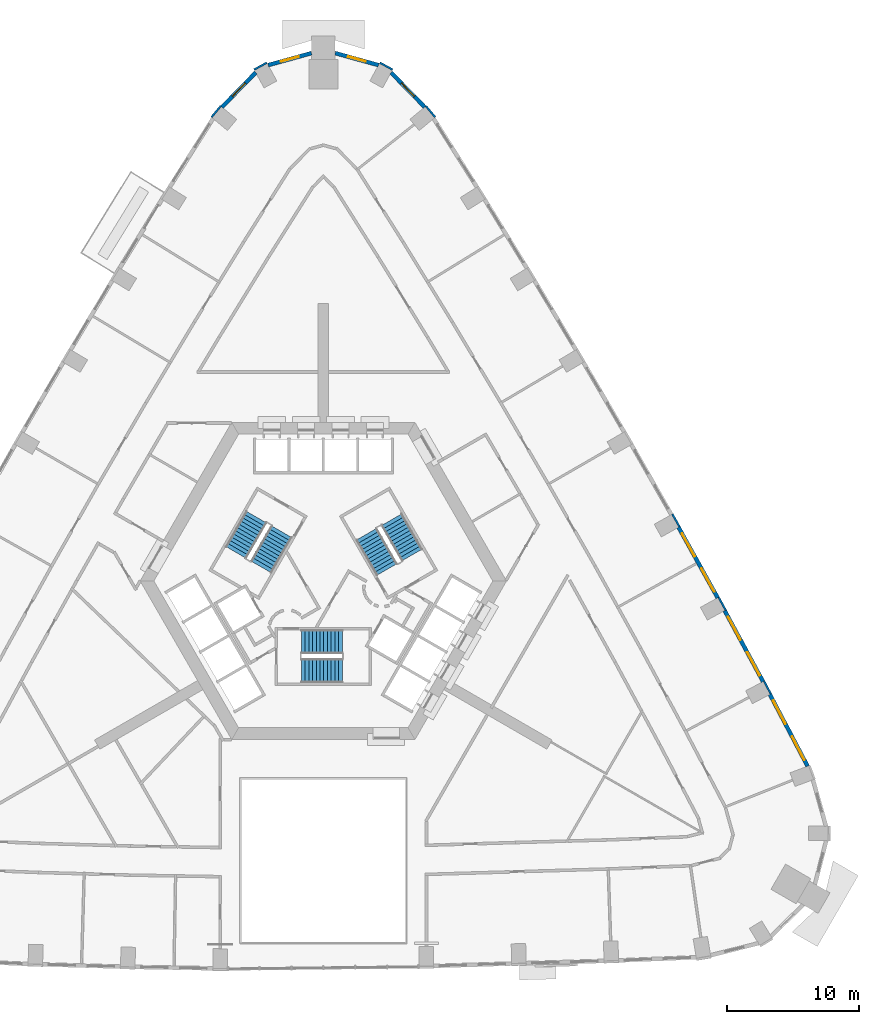
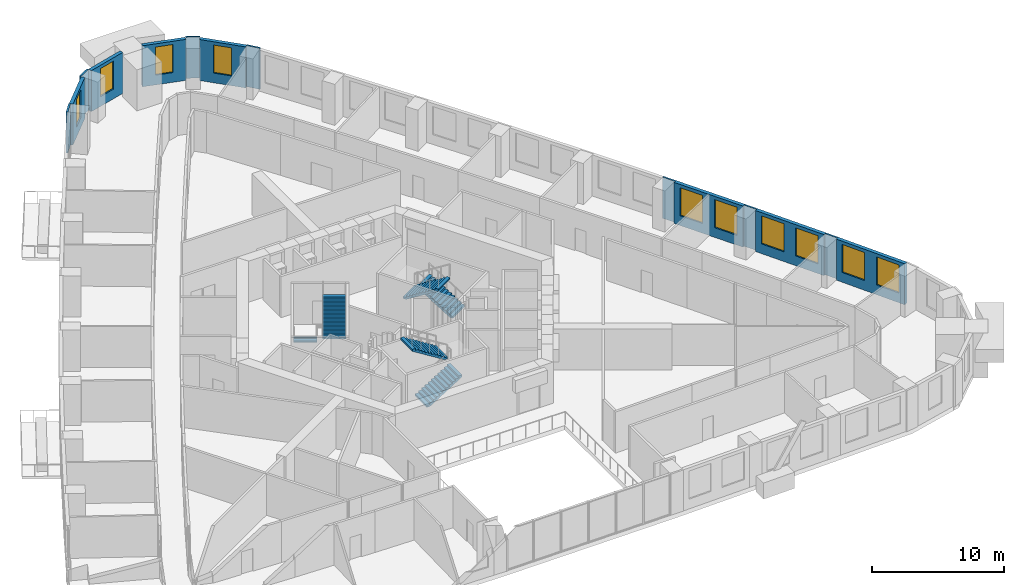
# One storey, part 12 of 15: 14 walls, 10 windows, 6 stair flights, 10 openings, 3 elements without a shape of their own.
"""IFC4 building model written with IfcOpenShell, lengths in metres."""

from ifc_helpers import new_model, si_unit, direction, frame, frame_2d, origin, place, context, subcontext, project, spatial, polyline, rectangle, outline, extrude, material, layer, layer_set, type_object, element, fill, aggregate, save


model = new_model("IFC4")

# Units and contexts
model_context = context("Model", 3, precision=1e-05, world=origin(), true_north=direction((0.0, 1.0)))
body_context = subcontext(model_context, "Body", "Model", "MODEL_VIEW")
ifc_project = project(units=[si_unit("LENGTHUNIT", "METRE"), si_unit("AREAUNIT", "SQUARE_METRE"), si_unit("VOLUMEUNIT", "CUBIC_METRE"), si_unit("PLANEANGLEUNIT", "RADIAN"), si_unit("MASSUNIT", "GRAM", prefix="KILO")], contexts=[model_context])

# Site, building, storey
site_placement = place(None, origin())
site = spatial("IfcSite", under=ifc_project, at=site_placement, CompositionType="ELEMENT")
building_placement = place(site_placement, origin())
building = spatial("IfcBuilding", under=site, at=building_placement, Name="Entoto Arch Interchange Tower", CompositionType="ELEMENT")
storey_placement = place(building_placement, frame((0.0, 0.0, 107.60009765625)))
storey = spatial("IfcBuildingStorey", under=building, at=storey_placement, Name="L23", CompositionType="ELEMENT", Elevation=107.60009765625)

# Wall, openings, windows
ifc_material_1 = material(Name="Welded tuff (ignimbrite) cladding, warm buff", Category="masonry")
ifc_layer_1 = layer(ifc_material_1, 0.300048828125)
ifc_layer_set_1 = layer_set([ifc_layer_1], Name="Welded tuff (ignimbrite) cladding, warm buff")
wall_type_1 = type_object("IfcWallType", Name="STONE INFILL WALL 300", PredefinedType="STANDARD", material=ifc_layer_set_1)
wall_1_placement = place(storey_placement, frame((36.633056640625, -11.510986328125, 0.0), z_axis=(0.0, 0.0, 1.0), x_axis=(-0.465380908665, 0.88511050714, 0.0)))
wall_1 = element("IfcWall", 1, at=wall_1_placement, inside=storey, type_object=wall_type_1, Name="Facade wall NE-01 L23", PredefinedType="STANDARD", context=body_context, shape_type="SweptSolid", body=[
    extrude(rectangle(XDim=6.139404296875, YDim=0.300048828125, at=frame_2d((3.06982421875, 0.0))), origin(), (0.0, 0.0, 1.0), 3.7998046875),
])
opening_1_placement = place(wall_1_placement, frame((0.534912109375, 0.0, 0.89990234375)))
opening_1 = element("IfcOpeningElement", 2, at=opening_1_placement, cuts=wall_1, Name="Opening WO-C", PredefinedType="OPENING", context=body_context, shape_type="SweptSolid", body=[
    extrude(rectangle(XDim=2.0, YDim=2.60009765625, at=frame_2d((1.0, 1.300048828125))), frame((0.0, 0.16015625, 0.0), z_axis=(0.0, -1.0, 0.0), x_axis=(1.0, 0.0, 0.0)), (0.0, 0.0, 1.0), 0.320068359375),
])
opening_2_placement = place(wall_1_placement, frame((3.60400390625, 0.0, 0.89990234375)))
opening_2 = element("IfcOpeningElement", 3, at=opening_2_placement, cuts=wall_1, Name="Opening WO-C", PredefinedType="OPENING", context=body_context, shape_type="SweptSolid", body=[
    extrude(rectangle(XDim=2.0, YDim=2.60009765625, at=frame_2d((1.0, 1.300048828125))), frame((0.0, 0.16015625, 0.0), z_axis=(0.0, -1.0, 0.0), x_axis=(1.0, 0.0, 0.0)), (0.0, 0.0, 1.0), 0.320068359375),
])
ifc_material_2 = material(Name="Clear glass, low-e double glazed", Category="glass")
window_type_1 = type_object("IfcWindowType", Name="WINDOW WO-C 2000x2600", PartitioningType="DOUBLE_PANEL_VERTICAL", PredefinedType="WINDOW", material=ifc_material_2)
window_1_placement = place(opening_1_placement, origin())
window_1 = element("IfcWindow", 4, at=window_1_placement, inside=storey, type_object=window_type_1, Name="Window WO-C NE-01 L23", OverallHeight=2.60009765625, OverallWidth=2.0, PartitioningType="SINGLE_PANEL", PredefinedType="WINDOW", context=body_context, shape_type="SweptSolid", body=[
    extrude(rectangle(XDim=2.0, YDim=2.60009765625, at=frame_2d((1.0, 1.300048828125))), frame((0.0, 0.030029296875, 0.0), z_axis=(0.0, -1.0, 0.0), x_axis=(1.0, 0.0, 0.0)), (0.0, 0.0, 1.0), 0.06005859375),
])
fill(opening_1, window_1)
window_2_placement = place(opening_2_placement, origin())
window_2 = element("IfcWindow", 5, at=window_2_placement, inside=storey, type_object=window_type_1, Name="Window WO-C NE-01 L23", OverallHeight=2.60009765625, OverallWidth=2.0, PartitioningType="SINGLE_PANEL", PredefinedType="WINDOW", context=body_context, shape_type="SweptSolid", body=[
    extrude(rectangle(XDim=2.0, YDim=2.60009765625, at=frame_2d((1.0, 1.300048828125))), frame((0.0, 0.030029296875, 0.0), z_axis=(0.0, -1.0, 0.0), x_axis=(1.0, 0.0, 0.0)), (0.0, 0.0, 1.0), 0.06005859375),
])
fill(opening_2, window_2)

wall_2_placement = place(storey_placement, frame((33.260009765625, -5.10791015625, 0.0), z_axis=(0.0, 0.0, 1.0), x_axis=(-0.475573079782, 0.879676216449, 0.0)))
wall_2 = element("IfcWall", 6, at=wall_2_placement, inside=storey, type_object=wall_type_1, Name="Facade wall NE-02 L23", PredefinedType="STANDARD", context=body_context, shape_type="SweptSolid", body=[
    extrude(rectangle(XDim=6.1044921875, YDim=0.300048828125, at=frame_2d((3.05224609375, 0.0))), origin(), (0.0, 0.0, 1.0), 3.7998046875),
])
opening_3_placement = place(wall_2_placement, frame((0.52587890625, 0.0, 0.89990234375)))
opening_3 = element("IfcOpeningElement", 7, at=opening_3_placement, cuts=wall_2, Name="Opening WO-C", PredefinedType="OPENING", context=body_context, shape_type="SweptSolid", body=[
    extrude(rectangle(XDim=2.0, YDim=2.60009765625, at=frame_2d((1.0, 1.300048828125))), frame((0.0, 0.16015625, 0.0), z_axis=(0.0, -1.0, 0.0), x_axis=(1.0, 0.0, 0.0)), (0.0, 0.0, 1.0), 0.320068359375),
])
opening_4_placement = place(wall_2_placement, frame((3.577880859375, 0.0, 0.89990234375)))
opening_4 = element("IfcOpeningElement", 8, at=opening_4_placement, cuts=wall_2, Name="Opening WO-C", PredefinedType="OPENING", context=body_context, shape_type="SweptSolid", body=[
    extrude(rectangle(XDim=2.0, YDim=2.60009765625, at=frame_2d((1.0, 1.300048828125))), frame((0.0, 0.16015625, 0.0), z_axis=(0.0, -1.0, 0.0), x_axis=(1.0, 0.0, 0.0)), (0.0, 0.0, 1.0), 0.320068359375),
])
window_3_placement = place(opening_3_placement, origin())
window_3 = element("IfcWindow", 9, at=window_3_placement, inside=storey, type_object=window_type_1, Name="Window WO-C NE-02 L23", OverallHeight=2.60009765625, OverallWidth=2.0, PartitioningType="SINGLE_PANEL", PredefinedType="WINDOW", context=body_context, shape_type="SweptSolid", body=[
    extrude(rectangle(XDim=2.0, YDim=2.60009765625, at=frame_2d((1.0, 1.300048828125))), frame((0.0, 0.030029296875, 0.0), z_axis=(0.0, -1.0, 0.0), x_axis=(1.0, 0.0, 0.0)), (0.0, 0.0, 1.0), 0.06005859375),
])
fill(opening_3, window_3)
window_4_placement = place(opening_4_placement, origin())
window_4 = element("IfcWindow", 10, at=window_4_placement, inside=storey, type_object=window_type_1, Name="Window WO-C NE-02 L23", OverallHeight=2.60009765625, OverallWidth=2.0, PartitioningType="SINGLE_PANEL", PredefinedType="WINDOW", context=body_context, shape_type="SweptSolid", body=[
    extrude(rectangle(XDim=2.0, YDim=2.60009765625, at=frame_2d((1.0, 1.300048828125))), frame((0.0, 0.030029296875, 0.0), z_axis=(0.0, -1.0, 0.0), x_axis=(1.0, 0.0, 0.0)), (0.0, 0.0, 1.0), 0.06005859375),
])
fill(opening_4, window_4)

wall_3_placement = place(storey_placement, frame((29.830078125, 1.22509765625, 0.0), z_axis=(0.0, 0.0, 1.0), x_axis=(-0.485170774404, 0.874419418623, 0.0)))
wall_3 = element("IfcWall", 11, at=wall_3_placement, inside=storey, type_object=wall_type_1, Name="Facade wall NE-03 L23", PredefinedType="STANDARD", context=body_context, shape_type="SweptSolid", body=[
    extrude(rectangle(XDim=6.103271484375, YDim=0.300048828125, at=frame_2d((3.0517578125, 0.0))), origin(), (0.0, 0.0, 1.0), 3.7998046875),
])
opening_5_placement = place(wall_3_placement, frame((0.52587890625, 0.0, 0.89990234375)))
opening_5 = element("IfcOpeningElement", 12, at=opening_5_placement, cuts=wall_3, Name="Opening WO-C", PredefinedType="OPENING", context=body_context, shape_type="SweptSolid", body=[
    extrude(rectangle(XDim=2.0, YDim=2.60009765625, at=frame_2d((1.0, 1.300048828125))), frame((0.0, 0.16015625, 0.0), z_axis=(0.0, -1.0, 0.0), x_axis=(1.0, 0.0, 0.0)), (0.0, 0.0, 1.0), 0.320068359375),
])
opening_6_placement = place(wall_3_placement, frame((3.577880859375, 0.0, 0.89990234375)))
opening_6 = element("IfcOpeningElement", 13, at=opening_6_placement, cuts=wall_3, Name="Opening WO-C", PredefinedType="OPENING", context=body_context, shape_type="SweptSolid", body=[
    extrude(rectangle(XDim=2.0, YDim=2.60009765625, at=frame_2d((1.0, 1.300048828125))), frame((0.0, 0.16015625, 0.0), z_axis=(0.0, -1.0, 0.0), x_axis=(1.0, 0.0, 0.0)), (0.0, 0.0, 1.0), 0.320068359375),
])
window_5_placement = place(opening_5_placement, origin())
window_5 = element("IfcWindow", 14, at=window_5_placement, inside=storey, type_object=window_type_1, Name="Window WO-C NE-03 L23", OverallHeight=2.60009765625, OverallWidth=2.0, PartitioningType="SINGLE_PANEL", PredefinedType="WINDOW", context=body_context, shape_type="SweptSolid", body=[
    extrude(rectangle(XDim=2.0, YDim=2.60009765625, at=frame_2d((1.0, 1.300048828125))), frame((0.0, 0.030029296875, 0.0), z_axis=(0.0, -1.0, 0.0), x_axis=(1.0, 0.0, 0.0)), (0.0, 0.0, 1.0), 0.06005859375),
])
fill(opening_5, window_5)
window_6_placement = place(opening_6_placement, origin())
window_6 = element("IfcWindow", 15, at=window_6_placement, inside=storey, type_object=window_type_1, Name="Window WO-C NE-03 L23", OverallHeight=2.60009765625, OverallWidth=2.0, PartitioningType="SINGLE_PANEL", PredefinedType="WINDOW", context=body_context, shape_type="SweptSolid", body=[
    extrude(rectangle(XDim=2.0, YDim=2.60009765625, at=frame_2d((1.0, 1.300048828125))), frame((0.0, 0.030029296875, 0.0), z_axis=(0.0, -1.0, 0.0), x_axis=(1.0, 0.0, 0.0)), (0.0, 0.0, 1.0), 0.06005859375),
])
fill(opening_6, window_6)

# Wall, opening, window
wall_4_placement = place(storey_placement, frame((7.66796875, 38.343017578125, 0.0), z_axis=(0.0, 0.0, 1.0), x_axis=(-0.698695735804, 0.715418946331, 0.0)))
wall_4 = element("IfcWall", 16, at=wall_4_placement, inside=storey, type_object=wall_type_1, Name="Facade wall N-01 L23", PredefinedType="STANDARD", context=body_context, shape_type="SweptSolid", body=[
    extrude(rectangle(XDim=3.649658203125, YDim=0.300048828125, at=frame_2d((1.82470703125, 0.0))), origin(), (0.0, 0.0, 1.0), 3.7998046875),
])
opening_7_placement = place(wall_4_placement, frame((1.125, 0.0, 0.89990234375)))
opening_7 = element("IfcOpeningElement", 17, at=opening_7_placement, cuts=wall_4, Name="Opening WO-B", PredefinedType="OPENING", context=body_context, shape_type="SweptSolid", body=[
    extrude(rectangle(XDim=1.39990234375, YDim=2.60009765625, at=frame_2d((0.699951171875, 1.300048828125))), frame((0.0, 0.16015625, 0.0), z_axis=(0.0, -1.0, 0.0), x_axis=(1.0, 0.0, 0.0)), (0.0, 0.0, 1.0), 0.320068359375),
])
window_type_2 = type_object("IfcWindowType", Name="WINDOW WO-B 1400x2600", PartitioningType="DOUBLE_PANEL_VERTICAL", PredefinedType="WINDOW", material=ifc_material_2)
window_7_placement = place(opening_7_placement, origin())
window_7 = element("IfcWindow", 18, at=window_7_placement, inside=storey, type_object=window_type_2, Name="Window WO-B N-01 L23", OverallHeight=2.60009765625, OverallWidth=1.39990234375, PartitioningType="SINGLE_PANEL", PredefinedType="WINDOW", context=body_context, shape_type="SweptSolid", body=[
    extrude(rectangle(XDim=1.39990234375, YDim=2.60009765625, at=frame_2d((0.699951171875, 1.300048828125))), frame((0.0, 0.030029296875, 0.0), z_axis=(0.0, -1.0, 0.0), x_axis=(1.0, 0.0, 0.0)), (0.0, 0.0, 1.0), 0.06005859375),
])
fill(opening_7, window_7)

wall_5_placement = place(storey_placement, frame((4.175048828125, 41.51708984375, 0.0), z_axis=(0.0, 0.0, 1.0), x_axis=(-0.963822898894, 0.266543466562, 0.0)))
wall_5 = element("IfcWall", 19, at=wall_5_placement, inside=storey, type_object=wall_type_1, Name="Facade wall N-02 L23", PredefinedType="STANDARD", context=body_context, shape_type="SweptSolid", body=[
    extrude(rectangle(XDim=3.399169921875, YDim=0.300048828125, at=frame_2d((1.69970703125, 0.0))), origin(), (0.0, 0.0, 1.0), 3.7998046875),
])
opening_8_placement = place(wall_5_placement, frame((0.9990234375, 0.0, 0.89990234375)))
opening_8 = element("IfcOpeningElement", 20, at=opening_8_placement, cuts=wall_5, Name="Opening WO-B", PredefinedType="OPENING", context=body_context, shape_type="SweptSolid", body=[
    extrude(rectangle(XDim=1.39990234375, YDim=2.60009765625, at=frame_2d((0.699951171875, 1.300048828125))), frame((0.0, 0.16015625, 0.0), z_axis=(0.0, -1.0, 0.0), x_axis=(1.0, 0.0, 0.0)), (0.0, 0.0, 1.0), 0.320068359375),
])
window_8_placement = place(opening_8_placement, origin())
window_8 = element("IfcWindow", 21, at=window_8_placement, inside=storey, type_object=window_type_2, Name="Window WO-B N-02 L23", OverallHeight=2.60009765625, OverallWidth=1.39990234375, PartitioningType="SINGLE_PANEL", PredefinedType="WINDOW", context=body_context, shape_type="SweptSolid", body=[
    extrude(rectangle(XDim=1.39990234375, YDim=2.60009765625, at=frame_2d((0.699951171875, 1.300048828125))), frame((0.0, 0.030029296875, 0.0), z_axis=(0.0, -1.0, 0.0), x_axis=(1.0, 0.0, 0.0)), (0.0, 0.0, 1.0), 0.06005859375),
])
fill(opening_8, window_8)

wall_6_placement = place(storey_placement, frame((-0.89892578125, 42.423095703125, 0.0), z_axis=(0.0, 0.0, 1.0), x_axis=(-0.963822898894, -0.266543466562, 0.0)))
wall_6 = element("IfcWall", 22, at=wall_6_placement, inside=storey, type_object=wall_type_1, Name="Facade wall N-03 L23", PredefinedType="STANDARD", context=body_context, shape_type="SweptSolid", body=[
    extrude(rectangle(XDim=3.399169921875, YDim=0.300048828125, at=frame_2d((1.69970703125, 0.0))), origin(), (0.0, 0.0, 1.0), 3.7998046875),
])
opening_9_placement = place(wall_6_placement, frame((0.9990234375, 0.0, 0.89990234375)))
opening_9 = element("IfcOpeningElement", 23, at=opening_9_placement, cuts=wall_6, Name="Opening WO-B", PredefinedType="OPENING", context=body_context, shape_type="SweptSolid", body=[
    extrude(rectangle(XDim=1.39990234375, YDim=2.60009765625, at=frame_2d((0.699951171875, 1.300048828125))), frame((0.0, 0.16015625, 0.0), z_axis=(0.0, -1.0, 0.0), x_axis=(1.0, 0.0, 0.0)), (0.0, 0.0, 1.0), 0.320068359375),
])
window_9_placement = place(opening_9_placement, origin())
window_9 = element("IfcWindow", 24, at=window_9_placement, inside=storey, type_object=window_type_2, Name="Window WO-B N-03 L23", OverallHeight=2.60009765625, OverallWidth=1.39990234375, PartitioningType="SINGLE_PANEL", PredefinedType="WINDOW", context=body_context, shape_type="SweptSolid", body=[
    extrude(rectangle(XDim=1.39990234375, YDim=2.60009765625, at=frame_2d((0.699951171875, 1.300048828125))), frame((0.0, 0.030029296875, 0.0), z_axis=(0.0, -1.0, 0.0), x_axis=(1.0, 0.0, 0.0)), (0.0, 0.0, 1.0), 0.06005859375),
])
fill(opening_9, window_9)

wall_7_placement = place(storey_placement, frame((-5.117919921875, 40.9541015625, 0.0), z_axis=(0.0, 0.0, 1.0), x_axis=(-0.698695735804, -0.715418946331, 0.0)))
wall_7 = element("IfcWall", 25, at=wall_7_placement, inside=storey, type_object=wall_type_1, Name="Facade wall N-04 L23", PredefinedType="STANDARD", context=body_context, shape_type="SweptSolid", body=[
    extrude(rectangle(XDim=3.649658203125, YDim=0.300048828125, at=frame_2d((1.82470703125, 0.0))), origin(), (0.0, 0.0, 1.0), 3.7998046875),
])
opening_10_placement = place(wall_7_placement, frame((1.125, 0.0, 0.89990234375)))
opening_10 = element("IfcOpeningElement", 26, at=opening_10_placement, cuts=wall_7, Name="Opening WO-B", PredefinedType="OPENING", context=body_context, shape_type="SweptSolid", body=[
    extrude(rectangle(XDim=1.39990234375, YDim=2.60009765625, at=frame_2d((0.699951171875, 1.300048828125))), frame((0.0, 0.16015625, 0.0), z_axis=(0.0, -1.0, 0.0), x_axis=(1.0, 0.0, 0.0)), (0.0, 0.0, 1.0), 0.320068359375),
])
window_10_placement = place(opening_10_placement, origin())
window_10 = element("IfcWindow", 27, at=window_10_placement, inside=storey, type_object=window_type_2, Name="Window WO-B N-04 L23", OverallHeight=2.60009765625, OverallWidth=1.39990234375, PartitioningType="SINGLE_PANEL", PredefinedType="WINDOW", context=body_context, shape_type="SweptSolid", body=[
    extrude(rectangle(XDim=1.39990234375, YDim=2.60009765625, at=frame_2d((0.699951171875, 1.300048828125))), frame((0.0, 0.030029296875, 0.0), z_axis=(0.0, -1.0, 0.0), x_axis=(1.0, 0.0, 0.0)), (0.0, 0.0, 1.0), 0.06005859375),
])
fill(opening_10, window_10)

# Walls
ifc_layer_2 = layer(ifc_material_1, 0.14990234375)
ifc_layer_set_2 = layer_set([ifc_layer_2], Name="Welded tuff (ignimbrite) cladding, warm buff")
wall_type_2 = type_object("IfcWallType", Name="STONE PIER CLADDING 150", PredefinedType="STANDARD", material=ifc_layer_set_2)
for number, where, z_axis, x_axis, name in (
    (28, (5.239013671875, 41.172119140625, 0.0), (0.0, 0.0, 1.0), (-0.877556336627, 0.479473540507, 0.0), "Stone pier N1 L23"),
    (29, (-4.27294921875, 41.699951171875, 0.0), (0.0, 0.0, 1.0), (-0.877556336627, -0.479473540507, 0.0), "Stone pier N3 L23"),
):
    element("IfcWall", number, at=place(storey_placement, frame(where, z_axis=z_axis, x_axis=x_axis)), inside=storey, type_object=wall_type_2, Name=name, PredefinedType="STANDARD", context=body_context, shape_type="SweptSolid", body=[
        extrude(rectangle(XDim=1.100830078125, YDim=0.14990234375, at=frame_2d((0.55029296875, 0.0))), origin(), (0.0, 0.0, 1.0), 3.7998046875),
    ])
wall_8_placement = place(storey_placement, frame((33.844970703125, -6.0419921875, 0.0), z_axis=(0.0, 0.0, 1.0), x_axis=(-0.46919310775, 0.883095593716, 0.0)))
element("IfcWall", 30, at=wall_8_placement, inside=storey, type_object=wall_type_2, Name="Stone pier NE02 L23", PredefinedType="STANDARD", context=body_context, shape_type="SweptSolid", body=[
    extrude(rectangle(XDim=1.099365234375, YDim=0.14990234375, at=frame_2d((0.5498046875, 0.0))), origin(), (0.0, 0.0, 1.0), 3.7998046875),
])
wall_9_placement = place(storey_placement, frame((30.426025390625, 0.298095703125, 0.0), z_axis=(0.0, 0.0, 1.0), x_axis=(-0.479737645119, 0.877411985247, 0.0)))
element("IfcWall", 31, at=wall_9_placement, inside=storey, type_object=wall_type_2, Name="Stone pier NE03 L23", PredefinedType="STANDARD", context=body_context, shape_type="SweptSolid", body=[
    extrude(rectangle(XDim=1.100830078125, YDim=0.14990234375, at=frame_2d((0.55029296875, 0.0))), origin(), (0.0, 0.0, 1.0), 3.7998046875),
])
wall_10_placement = place(storey_placement, frame((26.93701171875, 6.60009765625, 0.0), z_axis=(0.0, 0.0, 1.0), x_axis=(-0.490008344094, 0.871717742574, 0.0)))
element("IfcWall", 32, at=wall_10_placement, inside=storey, type_object=wall_type_2, Name="Stone pier NE04 L23", PredefinedType="STANDARD", context=body_context, shape_type="SweptSolid", body=[
    extrude(rectangle(XDim=1.10009765625, YDim=0.14990234375, at=frame_2d((0.550048828125, 0.0))), origin(), (0.0, 0.0, 1.0), 3.7998046875),
])
for number, where, z_axis, x_axis, name in (
    (33, (8.4619140625, 37.573974609375, 0.0), (0.0, 0.0, 1.0), (-0.638544483078, 0.769584916127, 0.0), "Stone pier NE09 L23"),
    (34, (-7.760009765625, 38.419921875, 0.0), (0.0, 0.0, 1.0), (-0.638544483078, -0.769584916127, 0.0), "Stone pier NW01 L23"),
):
    element("IfcWall", number, at=place(storey_placement, frame(where, z_axis=z_axis, x_axis=x_axis)), inside=storey, type_object=wall_type_2, Name=name, PredefinedType="STANDARD", context=body_context, shape_type="SweptSolid", body=[
        extrude(rectangle(XDim=1.09912109375, YDim=0.14990234375, at=frame_2d((0.549560546875, 0.0))), origin(), (0.0, 0.0, 1.0), 3.7998046875),
    ])

# Stair, stair flights
ifc_material_3 = material(Name="Concrete C40/50", Category="concrete")
stair_type = type_object("IfcStairType", Name="EXIT STAIR RC 1800", PredefinedType="HALF_TURN_STAIR", material=ifc_material_3)
stair_1_placement = place(storey_placement, origin())
stair_1 = element("IfcStair", 35, at=stair_1_placement, inside=storey, type_object=stair_type, Name="L23 Exit stair S", PredefinedType="HALF_TURN_STAIR")
stair_flight_type = type_object("IfcStairFlightType", Name="EXIT STAIR FLIGHT RC 1800", PredefinedType="STRAIGHT", material=ifc_material_3)
stair_flight_1_placement = place(storey_placement, frame((-1.64990234375, -4.300048828125, 0.0), z_axis=(0.0, 0.0, 1.0), x_axis=(1.0, 0.0, 0.0)))
stair_flight_1 = element("IfcStairFlight", 36, at=stair_flight_1_placement, type_object=stair_flight_type, Name="ST-S flight 1", NumberOfRisers=12, NumberOfTreads=11, PredefinedType="STRAIGHT", RiserHeight=0.175, TreadLength=0.28, context=body_context, shape_type="SweptSolid", body=[
    extrude(outline(polyline([(-0.0029296875, 0.0), (-0.0029296875, 0.175048828125), (0.280029296875, 0.175048828125), (0.280029296875, 0.35009765625), (0.56005859375, 0.35009765625), (0.56005859375, 0.52490234375), (0.840087890625, 0.52490234375), (0.840087890625, 0.699951171875), (1.1201171875, 0.699951171875), (1.1201171875, 0.875), (1.39990234375, 0.875), (1.39990234375, 1.050048828125), (1.679931640625, 1.050048828125), (1.679931640625, 1.22509765625), (1.9599609375, 1.22509765625), (1.9599609375, 1.39990234375), (2.239990234375, 1.39990234375), (2.239990234375, 1.574951171875), (2.52001953125, 1.574951171875), (2.52001953125, 1.75), (2.800048828125, 1.75), (2.800048828125, 1.925048828125), (3.080078125, 1.925048828125), (3.0830078125, 1.925048828125), (3.0830078125, 1.75), (0.28271484375, 0.0), (-0.0029296875, 0.0)])), frame((0.0, 0.89990234375, 0.0), z_axis=(0.0, -1.0, 0.0), x_axis=(1.0, 0.0, 0.0)), (0.0, 0.0, 1.0), 1.800048828125),
])
stair_flight_2_placement = place(storey_placement, frame((1.429931640625, -2.10009765625, 2.099853515625), z_axis=(0.0, 0.0, 1.0), x_axis=(-1.0, 0.0, 0.0)))
stair_flight_2 = element("IfcStairFlight", 37, at=stair_flight_2_placement, type_object=stair_flight_type, Name="ST-S flight 2", NumberOfRisers=12, NumberOfTreads=11, PredefinedType="STRAIGHT", RiserHeight=0.175, TreadLength=0.28, context=body_context, shape_type="SweptSolid", body=[
    extrude(outline(polyline([(-0.0029296875, 0.0), (-0.0029296875, 0.175048828125), (0.280029296875, 0.175048828125), (0.280029296875, 0.35009765625), (0.56005859375, 0.35009765625), (0.56005859375, 0.52490234375), (0.840087890625, 0.52490234375), (0.840087890625, 0.699951171875), (1.1201171875, 0.699951171875), (1.1201171875, 0.875), (1.39990234375, 0.875), (1.39990234375, 1.050048828125), (1.679931640625, 1.050048828125), (1.679931640625, 1.22509765625), (1.9599609375, 1.22509765625), (1.9599609375, 1.39990234375), (2.239990234375, 1.39990234375), (2.239990234375, 1.574951171875), (2.52001953125, 1.574951171875), (2.52001953125, 1.75), (2.800048828125, 1.75), (2.800048828125, 1.925048828125), (3.080078125, 1.925048828125), (3.0830078125, 1.925048828125), (3.0830078125, 1.75), (0.28271484375, 0.0), (-0.0029296875, 0.0)])), frame((0.0, 0.89990234375, 0.0), z_axis=(0.0, -1.0, 0.0), x_axis=(1.0, 0.0, 0.0)), (0.0, 0.0, 1.0), 1.800048828125),
])
aggregate(stair_1, [stair_flight_1, stair_flight_2])

stair_2_placement = place(storey_placement, origin())
stair_2 = element("IfcStair", 38, at=stair_2_placement, inside=storey, type_object=stair_type, Name="L23 Exit stair NE", PredefinedType="HALF_TURN_STAIR")
stair_flight_3_placement = place(storey_placement, frame((6.7138671875, 4.470947265625, 0.0), z_axis=(0.0, 0.0, 1.0), x_axis=(-0.5, 0.866025403784, 0.0)))
stair_flight_3 = element("IfcStairFlight", 39, at=stair_flight_3_placement, type_object=stair_flight_type, Name="ST-NE flight 1", NumberOfRisers=12, NumberOfTreads=11, PredefinedType="STRAIGHT", RiserHeight=0.175, TreadLength=0.28, context=body_context, shape_type="SweptSolid", body=[
    extrude(outline(polyline([(-0.0029296875, 0.0), (-0.0029296875, 0.175048828125), (0.280029296875, 0.175048828125), (0.280029296875, 0.35009765625), (0.56005859375, 0.35009765625), (0.56005859375, 0.52490234375), (0.840087890625, 0.52490234375), (0.840087890625, 0.699951171875), (1.1201171875, 0.699951171875), (1.1201171875, 0.875), (1.39990234375, 0.875), (1.39990234375, 1.050048828125), (1.679931640625, 1.050048828125), (1.679931640625, 1.22509765625), (1.9599609375, 1.22509765625), (1.9599609375, 1.39990234375), (2.239990234375, 1.39990234375), (2.239990234375, 1.574951171875), (2.52001953125, 1.574951171875), (2.52001953125, 1.75), (2.800048828125, 1.75), (2.800048828125, 1.925048828125), (3.080078125, 1.925048828125), (3.0830078125, 1.925048828125), (3.0830078125, 1.75), (0.28271484375, 0.0), (-0.0029296875, 0.0)])), frame((0.0, 0.89990234375, 0.0), z_axis=(0.0, -1.0, 0.0), x_axis=(1.0, 0.0, 0.0)), (0.0, 0.0, 1.0), 1.800048828125),
])
stair_flight_4_placement = place(storey_placement, frame((3.268798828125, 6.038330078125, 2.099853515625), z_axis=(0.0, 0.0, 1.0), x_axis=(0.5, -0.866025403784, 0.0)))
stair_flight_4 = element("IfcStairFlight", 40, at=stair_flight_4_placement, type_object=stair_flight_type, Name="ST-NE flight 2", NumberOfRisers=12, NumberOfTreads=11, PredefinedType="STRAIGHT", RiserHeight=0.175, TreadLength=0.28, context=body_context, shape_type="SweptSolid", body=[
    extrude(outline(polyline([(-0.0029296875, 0.0), (-0.0029296875, 0.175048828125), (0.280029296875, 0.175048828125), (0.280029296875, 0.35009765625), (0.56005859375, 0.35009765625), (0.56005859375, 0.52490234375), (0.840087890625, 0.52490234375), (0.840087890625, 0.699951171875), (1.1201171875, 0.699951171875), (1.1201171875, 0.875), (1.39990234375, 0.875), (1.39990234375, 1.050048828125), (1.679931640625, 1.050048828125), (1.679931640625, 1.22509765625), (1.9599609375, 1.22509765625), (1.9599609375, 1.39990234375), (2.239990234375, 1.39990234375), (2.239990234375, 1.574951171875), (2.52001953125, 1.574951171875), (2.52001953125, 1.75), (2.800048828125, 1.75), (2.800048828125, 1.925048828125), (3.080078125, 1.925048828125), (3.0830078125, 1.925048828125), (3.0830078125, 1.75), (0.28271484375, 0.0), (-0.0029296875, 0.0)])), frame((0.0, 0.89990234375, 0.0), z_axis=(0.0, -1.0, 0.0), x_axis=(1.0, 0.0, 0.0)), (0.0, 0.0, 1.0), 1.800048828125),
])
aggregate(stair_2, [stair_flight_3, stair_flight_4])

stair_3_placement = place(storey_placement, origin())
stair_3 = element("IfcStair", 41, at=stair_3_placement, inside=storey, type_object=stair_type, Name="L23 Exit stair NW", PredefinedType="HALF_TURN_STAIR")
stair_flight_5_placement = place(storey_placement, frame((-5.06396484375, 7.328857421875, 0.0), z_axis=(0.0, 0.0, 1.0), x_axis=(-0.5, -0.866025403784, 0.0)))
stair_flight_5 = element("IfcStairFlight", 42, at=stair_flight_5_placement, type_object=stair_flight_type, Name="ST-NW flight 1", NumberOfRisers=12, NumberOfTreads=11, PredefinedType="STRAIGHT", RiserHeight=0.175, TreadLength=0.28, context=body_context, shape_type="SweptSolid", body=[
    extrude(outline(polyline([(-0.0029296875, 0.0), (-0.0029296875, 0.175048828125), (0.280029296875, 0.175048828125), (0.280029296875, 0.35009765625), (0.56005859375, 0.35009765625), (0.56005859375, 0.52490234375), (0.840087890625, 0.52490234375), (0.840087890625, 0.699951171875), (1.1201171875, 0.699951171875), (1.1201171875, 0.875), (1.39990234375, 0.875), (1.39990234375, 1.050048828125), (1.679931640625, 1.050048828125), (1.679931640625, 1.22509765625), (1.9599609375, 1.22509765625), (1.9599609375, 1.39990234375), (2.239990234375, 1.39990234375), (2.239990234375, 1.574951171875), (2.52001953125, 1.574951171875), (2.52001953125, 1.75), (2.800048828125, 1.75), (2.800048828125, 1.925048828125), (3.080078125, 1.925048828125), (3.0830078125, 1.925048828125), (3.0830078125, 1.75), (0.28271484375, 0.0), (-0.0029296875, 0.0)])), frame((0.0, 0.89990234375, 0.0), z_axis=(0.0, -1.0, 0.0), x_axis=(1.0, 0.0, 0.0)), (0.0, 0.0, 1.0), 1.800048828125),
])
stair_flight_6_placement = place(storey_placement, frame((-4.69873046875, 3.5615234375, 2.099853515625), z_axis=(0.0, 0.0, 1.0), x_axis=(0.5, 0.866025403784, 0.0)))
stair_flight_6 = element("IfcStairFlight", 43, at=stair_flight_6_placement, type_object=stair_flight_type, Name="ST-NW flight 2", NumberOfRisers=12, NumberOfTreads=11, PredefinedType="STRAIGHT", RiserHeight=0.175, TreadLength=0.28, context=body_context, shape_type="SweptSolid", body=[
    extrude(outline(polyline([(-0.0029296875, 0.0), (-0.0029296875, 0.175048828125), (0.280029296875, 0.175048828125), (0.280029296875, 0.35009765625), (0.56005859375, 0.35009765625), (0.56005859375, 0.52490234375), (0.840087890625, 0.52490234375), (0.840087890625, 0.699951171875), (1.1201171875, 0.699951171875), (1.1201171875, 0.875), (1.39990234375, 0.875), (1.39990234375, 1.050048828125), (1.679931640625, 1.050048828125), (1.679931640625, 1.22509765625), (1.9599609375, 1.22509765625), (1.9599609375, 1.39990234375), (2.239990234375, 1.39990234375), (2.239990234375, 1.574951171875), (2.52001953125, 1.574951171875), (2.52001953125, 1.75), (2.800048828125, 1.75), (2.800048828125, 1.925048828125), (3.080078125, 1.925048828125), (3.0830078125, 1.925048828125), (3.0830078125, 1.75), (0.28271484375, 0.0), (-0.0029296875, 0.0)])), frame((0.0, 0.89990234375, 0.0), z_axis=(0.0, -1.0, 0.0), x_axis=(1.0, 0.0, 0.0)), (0.0, 0.0, 1.0), 1.800048828125),
])
aggregate(stair_3, [stair_flight_5, stair_flight_6])

save(model, "model.ifc")
